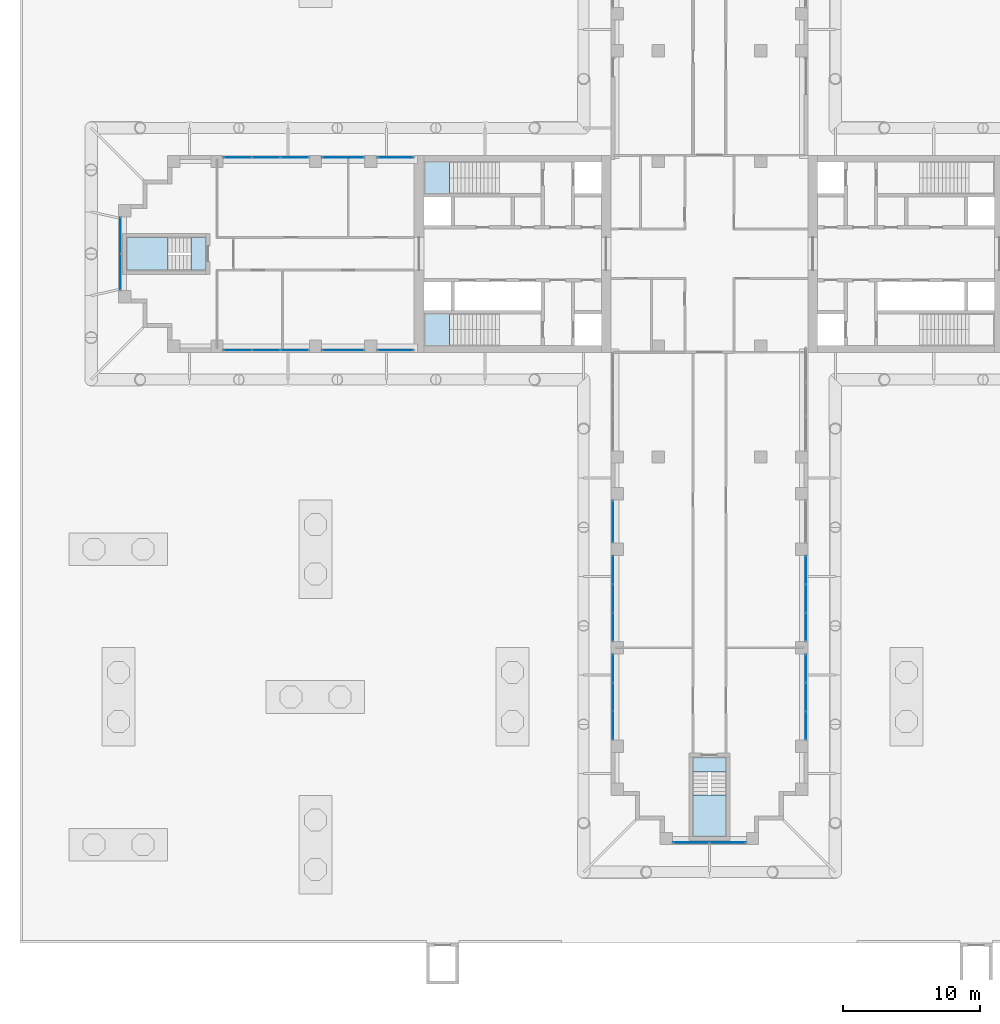
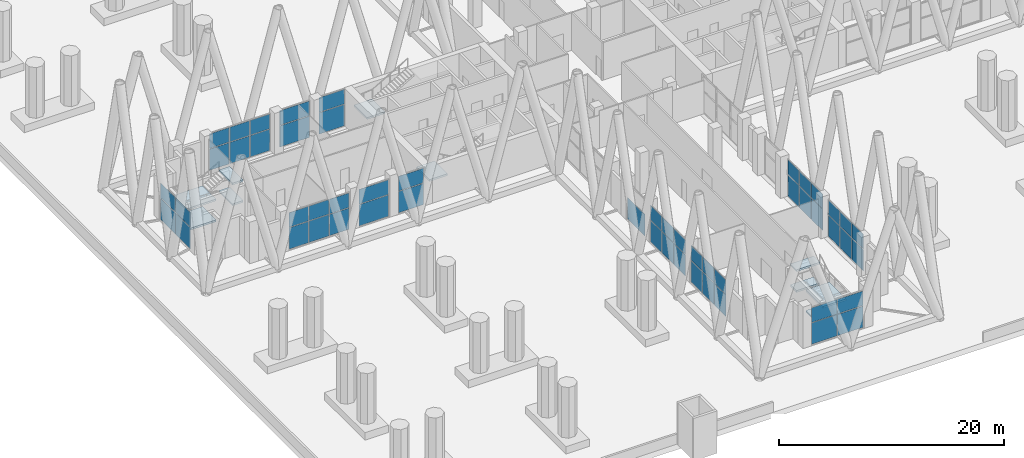
# One storey, part 13 of 31: 53 plates, 10 slabs, 17 elements without a shape of their own.
"""IFC4 building model written with IfcOpenShell, lengths in metres."""

from ifc_helpers import new_model, si_unit, direction, frame, origin, origin_2d, place, context, subcontext, project, spatial, polyline, rectangle, outline, extrude, material, layer, layer_set, type_object, element, aggregate, save


model = new_model("IFC4")

# Units and contexts
model_context = context("Model", 3, precision=1e-05, world=origin(), true_north=direction((0.0, 1.0)))
body_context = subcontext(model_context, "Body", "Model", "MODEL_VIEW")
ifc_project = project(units=[si_unit("LENGTHUNIT", "METRE"), si_unit("AREAUNIT", "SQUARE_METRE"), si_unit("VOLUMEUNIT", "CUBIC_METRE"), si_unit("PLANEANGLEUNIT", "RADIAN"), si_unit("MASSUNIT", "GRAM", prefix="KILO")], contexts=[model_context])

# Site, building, storey
site_placement = place(None, origin())
site = spatial("IfcSite", under=ifc_project, at=site_placement, CompositionType="ELEMENT")
building_placement = place(site_placement, origin())
building = spatial("IfcBuilding", under=site, at=building_placement, Name="Fustian Cross Tower", CompositionType="ELEMENT")
storey_placement = place(building_placement, frame((0.0, 0.0, 7.199951171875)))
storey = spatial("IfcBuildingStorey", under=building, at=storey_placement, Name="L01", CompositionType="ELEMENT", Elevation=7.199951171875)

# Curtain wall, plates
ifc_material_1 = material(Name="Glass", Category="glass")
curtain_wall_type = type_object("IfcCurtainWallType", Name="CW4 CURTAIN WALL", PredefinedType="NOTDEFINED", material=ifc_material_1)
curtain_wall_1_placement = place(storey_placement, origin())
curtain_wall_1 = element("IfcCurtainWall", 1, at=curtain_wall_1_placement, inside=storey, type_object=curtain_wall_type, Name="Curtain wall CW4", PredefinedType="NOTDEFINED")
ifc_material_2 = material(Name="Glass", Category="glass")
ifc_layer_1 = layer(ifc_material_2, 0.028076171875)
ifc_layer_set_1 = layer_set([ifc_layer_1], Name="Glass")
plate_type = type_object("IfcPlateType", Name="CW4 PANEL IGU28", PredefinedType="CURTAIN_PANEL", material=ifc_layer_set_1)
plate_1_placement = place(storey_placement, frame((-22.949951171875, 7.050048828125, 0.06005859375), z_axis=(0.0, 0.0, 1.0), x_axis=(-1.0, 0.0, 0.0)))
plate_1 = element("IfcPlate", 2, at=plate_1_placement, type_object=plate_type, Name="CW4 panel 1.1", PredefinedType="CURTAIN_PANEL", context=body_context, shape_type="SweptSolid", body=[
    extrude(rectangle(XDim=2.580078125, YDim=0.028076171875, at=origin_2d()), origin(), (0.0, 0.0, 1.0), 2.31005859375),
])
plate_2_placement = place(storey_placement, frame((-22.949951171875, 7.050048828125, 2.43017578125), z_axis=(0.0, 0.0, 1.0), x_axis=(-1.0, 0.0, 0.0)))
plate_2 = element("IfcPlate", 3, at=plate_2_placement, type_object=plate_type, Name="CW4 panel 1.2", PredefinedType="CURTAIN_PANEL", context=body_context, shape_type="SweptSolid", body=[
    extrude(rectangle(XDim=2.580078125, YDim=0.028076171875, at=origin_2d()), origin(), (0.0, 0.0, 1.0), 1.5849609375),
])
aggregate(curtain_wall_1, [plate_1, plate_2])

curtain_wall_2_placement = place(storey_placement, origin())
curtain_wall_2 = element("IfcCurtainWall", 4, at=curtain_wall_2_placement, inside=storey, type_object=curtain_wall_type, Name="Curtain wall CW4", PredefinedType="NOTDEFINED")
plate_3_placement = place(storey_placement, frame((-26.77490234375, 7.050048828125, 0.06005859375), z_axis=(0.0, 0.0, 1.0), x_axis=(-1.0, 0.0, 0.0)))
plate_3 = element("IfcPlate", 5, at=plate_3_placement, type_object=plate_type, Name="CW4 panel 1.1", PredefinedType="CURTAIN_PANEL", context=body_context, shape_type="SweptSolid", body=[
    extrude(rectangle(XDim=3.030029296875, YDim=0.028076171875, at=origin_2d()), origin(), (0.0, 0.0, 1.0), 2.31005859375),
])
plate_4_placement = place(storey_placement, frame((-26.77490234375, 7.050048828125, 2.43017578125), z_axis=(0.0, 0.0, 1.0), x_axis=(-1.0, 0.0, 0.0)))
plate_4 = element("IfcPlate", 6, at=plate_4_placement, type_object=plate_type, Name="CW4 panel 1.2", PredefinedType="CURTAIN_PANEL", context=body_context, shape_type="SweptSolid", body=[
    extrude(rectangle(XDim=3.030029296875, YDim=0.028076171875, at=origin_2d()), origin(), (0.0, 0.0, 1.0), 1.5849609375),
])
aggregate(curtain_wall_2, [plate_3, plate_4])

curtain_wall_3_placement = place(storey_placement, origin())
curtain_wall_3 = element("IfcCurtainWall", 7, at=curtain_wall_3_placement, inside=storey, type_object=curtain_wall_type, Name="Curtain wall CW4", PredefinedType="NOTDEFINED")
plate_5_placement = place(storey_placement, frame((-30.31494140625, 7.050048828125, 0.06005859375), z_axis=(0.0, 0.0, 1.0), x_axis=(-1.0, 0.0, 0.0)))
plate_5 = element("IfcPlate", 8, at=plate_5_placement, type_object=plate_type, Name="CW4 panel 1.1", PredefinedType="CURTAIN_PANEL", context=body_context, shape_type="SweptSolid", body=[
    extrude(rectangle(XDim=2.010009765625, YDim=0.028076171875, at=origin_2d()), origin(), (0.0, 0.0, 1.0), 2.31005859375),
])
plate_6_placement = place(storey_placement, frame((-30.31494140625, 7.050048828125, 2.43017578125), z_axis=(0.0, 0.0, 1.0), x_axis=(-1.0, 0.0, 0.0)))
plate_6 = element("IfcPlate", 9, at=plate_6_placement, type_object=plate_type, Name="CW4 panel 1.2", PredefinedType="CURTAIN_PANEL", context=body_context, shape_type="SweptSolid", body=[
    extrude(rectangle(XDim=2.010009765625, YDim=0.028076171875, at=origin_2d()), origin(), (0.0, 0.0, 1.0), 1.5849609375),
])
plate_7_placement = place(storey_placement, frame((-32.39990234375, 7.050048828125, 0.06005859375), z_axis=(0.0, 0.0, 1.0), x_axis=(-1.0, 0.0, 0.0)))
plate_7 = element("IfcPlate", 10, at=plate_7_placement, type_object=plate_type, Name="CW4 panel 2.1", PredefinedType="CURTAIN_PANEL", context=body_context, shape_type="SweptSolid", body=[
    extrude(rectangle(XDim=2.0400390625, YDim=0.028076171875, at=origin_2d()), origin(), (0.0, 0.0, 1.0), 2.31005859375),
])
plate_8_placement = place(storey_placement, frame((-32.39990234375, 7.050048828125, 2.43017578125), z_axis=(0.0, 0.0, 1.0), x_axis=(-1.0, 0.0, 0.0)))
plate_8 = element("IfcPlate", 11, at=plate_8_placement, type_object=plate_type, Name="CW4 panel 2.2", PredefinedType="CURTAIN_PANEL", context=body_context, shape_type="SweptSolid", body=[
    extrude(rectangle(XDim=2.0400390625, YDim=0.028076171875, at=origin_2d()), origin(), (0.0, 0.0, 1.0), 1.5849609375),
])
plate_9_placement = place(storey_placement, frame((-34.485107421875, 7.050048828125, 0.06005859375), z_axis=(0.0, 0.0, 1.0), x_axis=(-1.0, 0.0, 0.0)))
plate_9 = element("IfcPlate", 12, at=plate_9_placement, type_object=plate_type, Name="CW4 panel 3.1", PredefinedType="CURTAIN_PANEL", context=body_context, shape_type="SweptSolid", body=[
    extrude(rectangle(XDim=2.010009765625, YDim=0.028076171875, at=origin_2d()), origin(), (0.0, 0.0, 1.0), 2.31005859375),
])
plate_10_placement = place(storey_placement, frame((-34.485107421875, 7.050048828125, 2.43017578125), z_axis=(0.0, 0.0, 1.0), x_axis=(-1.0, 0.0, 0.0)))
plate_10 = element("IfcPlate", 13, at=plate_10_placement, type_object=plate_type, Name="CW4 panel 3.2", PredefinedType="CURTAIN_PANEL", context=body_context, shape_type="SweptSolid", body=[
    extrude(rectangle(XDim=2.010009765625, YDim=0.028076171875, at=origin_2d()), origin(), (0.0, 0.0, 1.0), 1.5849609375),
])
aggregate(curtain_wall_3, [plate_5, plate_6, plate_7, plate_8, plate_9, plate_10])

curtain_wall_4_placement = place(storey_placement, origin())
curtain_wall_4 = element("IfcCurtainWall", 14, at=curtain_wall_4_placement, inside=storey, type_object=curtain_wall_type, Name="Curtain wall CW4", PredefinedType="NOTDEFINED")
plate_11_placement = place(storey_placement, frame((-43.050048828125, 1.3349609375, 0.06005859375), z_axis=(0.0, 0.0, 1.0), x_axis=(0.0, -1.0, 0.0)))
plate_11 = element("IfcPlate", 15, at=plate_11_placement, type_object=plate_type, Name="CW4 panel 1.1", PredefinedType="CURTAIN_PANEL", context=body_context, shape_type="SweptSolid", body=[
    extrude(rectangle(XDim=2.610107421875, YDim=0.028076171875, at=origin_2d()), origin(), (0.0, 0.0, 1.0), 2.31005859375),
])
plate_12_placement = place(storey_placement, frame((-43.050048828125, 1.3349609375, 2.43017578125), z_axis=(0.0, 0.0, 1.0), x_axis=(0.0, -1.0, 0.0)))
plate_12 = element("IfcPlate", 16, at=plate_12_placement, type_object=plate_type, Name="CW4 panel 1.2", PredefinedType="CURTAIN_PANEL", context=body_context, shape_type="SweptSolid", body=[
    extrude(rectangle(XDim=2.610107421875, YDim=0.028076171875, at=origin_2d()), origin(), (0.0, 0.0, 1.0), 1.5849609375),
])
plate_13_placement = place(storey_placement, frame((-43.050048828125, -1.3349609375, 0.06005859375), z_axis=(0.0, 0.0, 1.0), x_axis=(0.0, -1.0, 0.0)))
plate_13 = element("IfcPlate", 17, at=plate_13_placement, type_object=plate_type, Name="CW4 panel 2.1", PredefinedType="CURTAIN_PANEL", context=body_context, shape_type="SweptSolid", body=[
    extrude(rectangle(XDim=2.610107421875, YDim=0.028076171875, at=origin_2d()), origin(), (0.0, 0.0, 1.0), 2.31005859375),
])
plate_14_placement = place(storey_placement, frame((-43.050048828125, -1.3349609375, 2.43017578125), z_axis=(0.0, 0.0, 1.0), x_axis=(0.0, -1.0, 0.0)))
plate_14 = element("IfcPlate", 18, at=plate_14_placement, type_object=plate_type, Name="CW4 panel 2.2", PredefinedType="CURTAIN_PANEL", context=body_context, shape_type="SweptSolid", body=[
    extrude(rectangle(XDim=2.610107421875, YDim=0.028076171875, at=origin_2d()), origin(), (0.0, 0.0, 1.0), 1.5849609375),
])
aggregate(curtain_wall_4, [plate_11, plate_12, plate_13, plate_14])

curtain_wall_5_placement = place(storey_placement, origin())
curtain_wall_5 = element("IfcCurtainWall", 19, at=curtain_wall_5_placement, inside=storey, type_object=curtain_wall_type, Name="Curtain wall CW4", PredefinedType="NOTDEFINED")
plate_15_placement = place(storey_placement, frame((-34.485107421875, -7.050048828125, 0.06005859375), z_axis=(0.0, 0.0, 1.0), x_axis=(1.0, 0.0, 0.0)))
plate_15 = element("IfcPlate", 20, at=plate_15_placement, type_object=plate_type, Name="CW4 panel 1.1", PredefinedType="CURTAIN_PANEL", context=body_context, shape_type="SweptSolid", body=[
    extrude(rectangle(XDim=2.010009765625, YDim=0.028076171875, at=origin_2d()), origin(), (0.0, 0.0, 1.0), 2.31005859375),
])
plate_16_placement = place(storey_placement, frame((-34.485107421875, -7.050048828125, 2.43017578125), z_axis=(0.0, 0.0, 1.0), x_axis=(1.0, 0.0, 0.0)))
plate_16 = element("IfcPlate", 21, at=plate_16_placement, type_object=plate_type, Name="CW4 panel 1.2", PredefinedType="CURTAIN_PANEL", context=body_context, shape_type="SweptSolid", body=[
    extrude(rectangle(XDim=2.010009765625, YDim=0.028076171875, at=origin_2d()), origin(), (0.0, 0.0, 1.0), 1.5849609375),
])
plate_17_placement = place(storey_placement, frame((-32.39990234375, -7.050048828125, 0.06005859375), z_axis=(0.0, 0.0, 1.0), x_axis=(1.0, 0.0, 0.0)))
plate_17 = element("IfcPlate", 22, at=plate_17_placement, type_object=plate_type, Name="CW4 panel 2.1", PredefinedType="CURTAIN_PANEL", context=body_context, shape_type="SweptSolid", body=[
    extrude(rectangle(XDim=2.0400390625, YDim=0.028076171875, at=origin_2d()), origin(), (0.0, 0.0, 1.0), 2.31005859375),
])
plate_18_placement = place(storey_placement, frame((-32.39990234375, -7.050048828125, 2.43017578125), z_axis=(0.0, 0.0, 1.0), x_axis=(1.0, 0.0, 0.0)))
plate_18 = element("IfcPlate", 23, at=plate_18_placement, type_object=plate_type, Name="CW4 panel 2.2", PredefinedType="CURTAIN_PANEL", context=body_context, shape_type="SweptSolid", body=[
    extrude(rectangle(XDim=2.0400390625, YDim=0.028076171875, at=origin_2d()), origin(), (0.0, 0.0, 1.0), 1.5849609375),
])
plate_19_placement = place(storey_placement, frame((-30.31494140625, -7.050048828125, 0.06005859375), z_axis=(0.0, 0.0, 1.0), x_axis=(1.0, 0.0, 0.0)))
plate_19 = element("IfcPlate", 24, at=plate_19_placement, type_object=plate_type, Name="CW4 panel 3.1", PredefinedType="CURTAIN_PANEL", context=body_context, shape_type="SweptSolid", body=[
    extrude(rectangle(XDim=2.010009765625, YDim=0.028076171875, at=origin_2d()), origin(), (0.0, 0.0, 1.0), 2.31005859375),
])
plate_20_placement = place(storey_placement, frame((-30.31494140625, -7.050048828125, 2.43017578125), z_axis=(0.0, 0.0, 1.0), x_axis=(1.0, 0.0, 0.0)))
plate_20 = element("IfcPlate", 25, at=plate_20_placement, type_object=plate_type, Name="CW4 panel 3.2", PredefinedType="CURTAIN_PANEL", context=body_context, shape_type="SweptSolid", body=[
    extrude(rectangle(XDim=2.010009765625, YDim=0.028076171875, at=origin_2d()), origin(), (0.0, 0.0, 1.0), 1.5849609375),
])
aggregate(curtain_wall_5, [plate_15, plate_16, plate_17, plate_18, plate_19, plate_20])

curtain_wall_6_placement = place(storey_placement, origin())
curtain_wall_6 = element("IfcCurtainWall", 26, at=curtain_wall_6_placement, inside=storey, type_object=curtain_wall_type, Name="Curtain wall CW4", PredefinedType="NOTDEFINED")
plate_21_placement = place(storey_placement, frame((-26.77490234375, -7.050048828125, 0.06005859375), z_axis=(0.0, 0.0, 1.0), x_axis=(1.0, 0.0, 0.0)))
plate_21 = element("IfcPlate", 27, at=plate_21_placement, type_object=plate_type, Name="CW4 panel 1.1", PredefinedType="CURTAIN_PANEL", context=body_context, shape_type="SweptSolid", body=[
    extrude(rectangle(XDim=3.030029296875, YDim=0.028076171875, at=origin_2d()), origin(), (0.0, 0.0, 1.0), 2.31005859375),
])
plate_22_placement = place(storey_placement, frame((-26.77490234375, -7.050048828125, 2.43017578125), z_axis=(0.0, 0.0, 1.0), x_axis=(1.0, 0.0, 0.0)))
plate_22 = element("IfcPlate", 28, at=plate_22_placement, type_object=plate_type, Name="CW4 panel 1.2", PredefinedType="CURTAIN_PANEL", context=body_context, shape_type="SweptSolid", body=[
    extrude(rectangle(XDim=3.030029296875, YDim=0.028076171875, at=origin_2d()), origin(), (0.0, 0.0, 1.0), 1.5849609375),
])
aggregate(curtain_wall_6, [plate_21, plate_22])

curtain_wall_7_placement = place(storey_placement, origin())
curtain_wall_7 = element("IfcCurtainWall", 29, at=curtain_wall_7_placement, inside=storey, type_object=curtain_wall_type, Name="Curtain wall CW4", PredefinedType="NOTDEFINED")
plate_23_placement = place(storey_placement, frame((-22.949951171875, -7.050048828125, 0.06005859375), z_axis=(0.0, 0.0, 1.0), x_axis=(1.0, 0.0, 0.0)))
plate_23 = element("IfcPlate", 30, at=plate_23_placement, type_object=plate_type, Name="CW4 panel 1.1", PredefinedType="CURTAIN_PANEL", context=body_context, shape_type="SweptSolid", body=[
    extrude(rectangle(XDim=2.580078125, YDim=0.028076171875, at=origin_2d()), origin(), (0.0, 0.0, 1.0), 2.31005859375),
])
plate_24_placement = place(storey_placement, frame((-22.949951171875, -7.050048828125, 2.43017578125), z_axis=(0.0, 0.0, 1.0), x_axis=(1.0, 0.0, 0.0)))
plate_24 = element("IfcPlate", 31, at=plate_24_placement, type_object=plate_type, Name="CW4 panel 1.2", PredefinedType="CURTAIN_PANEL", context=body_context, shape_type="SweptSolid", body=[
    extrude(rectangle(XDim=2.580078125, YDim=0.028076171875, at=origin_2d()), origin(), (0.0, 0.0, 1.0), 1.5849609375),
])
aggregate(curtain_wall_7, [plate_23, plate_24])

# Curtain wall, plate
curtain_wall_8_placement = place(storey_placement, origin())
curtain_wall_8 = element("IfcCurtainWall", 32, at=curtain_wall_8_placement, inside=storey, type_object=curtain_wall_type, Name="Curtain wall CW4", PredefinedType="NOTDEFINED")
plate_25_placement = place(storey_placement, frame((-7.050048828125, -19.574951171875, 0.06005859375), z_axis=(0.0, 0.0, 1.0), x_axis=(0.0, -1.0, 0.0)))
plate_25 = element("IfcPlate", 33, at=plate_25_placement, type_object=plate_type, Name="CW4 panel 1.1", PredefinedType="CURTAIN_PANEL", context=body_context, shape_type="SweptSolid", body=[
    extrude(rectangle(XDim=3.030029296875, YDim=0.028076171875, at=origin_2d()), origin(), (0.0, 0.0, 1.0), 2.31005859375),
])
aggregate(curtain_wall_8, [plate_25])

# Curtain wall, plates
curtain_wall_9_placement = place(storey_placement, origin())
curtain_wall_9 = element("IfcCurtainWall", 34, at=curtain_wall_9_placement, inside=storey, type_object=curtain_wall_type, Name="Curtain wall CW4", PredefinedType="NOTDEFINED")
plate_26_placement = place(storey_placement, frame((-7.050048828125, -23.114990234375, 0.06005859375), z_axis=(0.0, 0.0, 1.0), x_axis=(0.0, -1.0, 0.0)))
plate_26 = element("IfcPlate", 35, at=plate_26_placement, type_object=plate_type, Name="CW4 panel 1.1", PredefinedType="CURTAIN_PANEL", context=body_context, shape_type="SweptSolid", body=[
    extrude(rectangle(XDim=2.010009765625, YDim=0.028076171875, at=origin_2d()), origin(), (0.0, 0.0, 1.0), 2.31005859375),
])
plate_27_placement = place(storey_placement, frame((-7.050048828125, -23.114990234375, 2.43017578125), z_axis=(0.0, 0.0, 1.0), x_axis=(0.0, -1.0, 0.0)))
plate_27 = element("IfcPlate", 36, at=plate_27_placement, type_object=plate_type, Name="CW4 panel 1.2", PredefinedType="CURTAIN_PANEL", context=body_context, shape_type="SweptSolid", body=[
    extrude(rectangle(XDim=2.010009765625, YDim=0.028076171875, at=origin_2d()), origin(), (0.0, 0.0, 1.0), 1.5849609375),
])
plate_28_placement = place(storey_placement, frame((-7.050048828125, -25.199951171875, 0.06005859375), z_axis=(0.0, 0.0, 1.0), x_axis=(0.0, -1.0, 0.0)))
plate_28 = element("IfcPlate", 37, at=plate_28_placement, type_object=plate_type, Name="CW4 panel 2.1", PredefinedType="CURTAIN_PANEL", context=body_context, shape_type="SweptSolid", body=[
    extrude(rectangle(XDim=2.0400390625, YDim=0.028076171875, at=origin_2d()), origin(), (0.0, 0.0, 1.0), 2.31005859375),
])
plate_29_placement = place(storey_placement, frame((-7.050048828125, -25.199951171875, 2.43017578125), z_axis=(0.0, 0.0, 1.0), x_axis=(0.0, -1.0, 0.0)))
plate_29 = element("IfcPlate", 38, at=plate_29_placement, type_object=plate_type, Name="CW4 panel 2.2", PredefinedType="CURTAIN_PANEL", context=body_context, shape_type="SweptSolid", body=[
    extrude(rectangle(XDim=2.0400390625, YDim=0.028076171875, at=origin_2d()), origin(), (0.0, 0.0, 1.0), 1.5849609375),
])
plate_30_placement = place(storey_placement, frame((-7.050048828125, -27.284912109375, 0.06005859375), z_axis=(0.0, 0.0, 1.0), x_axis=(0.0, -1.0, 0.0)))
plate_30 = element("IfcPlate", 39, at=plate_30_placement, type_object=plate_type, Name="CW4 panel 3.1", PredefinedType="CURTAIN_PANEL", context=body_context, shape_type="SweptSolid", body=[
    extrude(rectangle(XDim=2.010009765625, YDim=0.028076171875, at=origin_2d()), origin(), (0.0, 0.0, 1.0), 2.31005859375),
])
plate_31_placement = place(storey_placement, frame((-7.050048828125, -27.284912109375, 2.43017578125), z_axis=(0.0, 0.0, 1.0), x_axis=(0.0, -1.0, 0.0)))
plate_31 = element("IfcPlate", 40, at=plate_31_placement, type_object=plate_type, Name="CW4 panel 3.2", PredefinedType="CURTAIN_PANEL", context=body_context, shape_type="SweptSolid", body=[
    extrude(rectangle(XDim=2.010009765625, YDim=0.028076171875, at=origin_2d()), origin(), (0.0, 0.0, 1.0), 1.5849609375),
])
aggregate(curtain_wall_9, [plate_26, plate_27, plate_28, plate_29, plate_30, plate_31])

curtain_wall_10_placement = place(storey_placement, origin())
curtain_wall_10 = element("IfcCurtainWall", 41, at=curtain_wall_10_placement, inside=storey, type_object=curtain_wall_type, Name="Curtain wall CW4", PredefinedType="NOTDEFINED")
plate_32_placement = place(storey_placement, frame((-7.050048828125, -30.31494140625, 0.06005859375), z_axis=(0.0, 0.0, 1.0), x_axis=(0.0, -1.0, 0.0)))
plate_32 = element("IfcPlate", 42, at=plate_32_placement, type_object=plate_type, Name="CW4 panel 1.1", PredefinedType="CURTAIN_PANEL", context=body_context, shape_type="SweptSolid", body=[
    extrude(rectangle(XDim=2.010009765625, YDim=0.028076171875, at=origin_2d()), origin(), (0.0, 0.0, 1.0), 2.31005859375),
])
plate_33_placement = place(storey_placement, frame((-7.050048828125, -30.31494140625, 2.43017578125), z_axis=(0.0, 0.0, 1.0), x_axis=(0.0, -1.0, 0.0)))
plate_33 = element("IfcPlate", 43, at=plate_33_placement, type_object=plate_type, Name="CW4 panel 1.2", PredefinedType="CURTAIN_PANEL", context=body_context, shape_type="SweptSolid", body=[
    extrude(rectangle(XDim=2.010009765625, YDim=0.028076171875, at=origin_2d()), origin(), (0.0, 0.0, 1.0), 1.5849609375),
])
plate_34_placement = place(storey_placement, frame((-7.050048828125, -32.39990234375, 0.06005859375), z_axis=(0.0, 0.0, 1.0), x_axis=(0.0, -1.0, 0.0)))
plate_34 = element("IfcPlate", 44, at=plate_34_placement, type_object=plate_type, Name="CW4 panel 2.1", PredefinedType="CURTAIN_PANEL", context=body_context, shape_type="SweptSolid", body=[
    extrude(rectangle(XDim=2.0400390625, YDim=0.028076171875, at=origin_2d()), origin(), (0.0, 0.0, 1.0), 2.31005859375),
])
plate_35_placement = place(storey_placement, frame((-7.050048828125, -32.39990234375, 2.43017578125), z_axis=(0.0, 0.0, 1.0), x_axis=(0.0, -1.0, 0.0)))
plate_35 = element("IfcPlate", 45, at=plate_35_placement, type_object=plate_type, Name="CW4 panel 2.2", PredefinedType="CURTAIN_PANEL", context=body_context, shape_type="SweptSolid", body=[
    extrude(rectangle(XDim=2.0400390625, YDim=0.028076171875, at=origin_2d()), origin(), (0.0, 0.0, 1.0), 1.5849609375),
])
plate_36_placement = place(storey_placement, frame((-7.050048828125, -34.485107421875, 0.06005859375), z_axis=(0.0, 0.0, 1.0), x_axis=(0.0, -1.0, 0.0)))
plate_36 = element("IfcPlate", 46, at=plate_36_placement, type_object=plate_type, Name="CW4 panel 3.1", PredefinedType="CURTAIN_PANEL", context=body_context, shape_type="SweptSolid", body=[
    extrude(rectangle(XDim=2.010009765625, YDim=0.028076171875, at=origin_2d()), origin(), (0.0, 0.0, 1.0), 2.31005859375),
])
plate_37_placement = place(storey_placement, frame((-7.050048828125, -34.485107421875, 2.43017578125), z_axis=(0.0, 0.0, 1.0), x_axis=(0.0, -1.0, 0.0)))
plate_37 = element("IfcPlate", 47, at=plate_37_placement, type_object=plate_type, Name="CW4 panel 3.2", PredefinedType="CURTAIN_PANEL", context=body_context, shape_type="SweptSolid", body=[
    extrude(rectangle(XDim=2.010009765625, YDim=0.028076171875, at=origin_2d()), origin(), (0.0, 0.0, 1.0), 1.5849609375),
])
aggregate(curtain_wall_10, [plate_32, plate_33, plate_34, plate_35, plate_36, plate_37])

curtain_wall_11_placement = place(storey_placement, origin())
curtain_wall_11 = element("IfcCurtainWall", 48, at=curtain_wall_11_placement, inside=storey, type_object=curtain_wall_type, Name="Curtain wall CW4", PredefinedType="NOTDEFINED")
plate_38_placement = place(storey_placement, frame((-1.3349609375, -43.050048828125, 0.06005859375), z_axis=(0.0, 0.0, 1.0), x_axis=(1.0, 0.0, 0.0)))
plate_38 = element("IfcPlate", 49, at=plate_38_placement, type_object=plate_type, Name="CW4 panel 1.1", PredefinedType="CURTAIN_PANEL", context=body_context, shape_type="SweptSolid", body=[
    extrude(rectangle(XDim=2.610107421875, YDim=0.028076171875, at=origin_2d()), origin(), (0.0, 0.0, 1.0), 2.31005859375),
])
plate_39_placement = place(storey_placement, frame((-1.3349609375, -43.050048828125, 2.43017578125), z_axis=(0.0, 0.0, 1.0), x_axis=(1.0, 0.0, 0.0)))
plate_39 = element("IfcPlate", 50, at=plate_39_placement, type_object=plate_type, Name="CW4 panel 1.2", PredefinedType="CURTAIN_PANEL", context=body_context, shape_type="SweptSolid", body=[
    extrude(rectangle(XDim=2.610107421875, YDim=0.028076171875, at=origin_2d()), origin(), (0.0, 0.0, 1.0), 1.5849609375),
])
plate_40_placement = place(storey_placement, frame((1.3349609375, -43.050048828125, 0.06005859375), z_axis=(0.0, 0.0, 1.0), x_axis=(1.0, 0.0, 0.0)))
plate_40 = element("IfcPlate", 51, at=plate_40_placement, type_object=plate_type, Name="CW4 panel 2.1", PredefinedType="CURTAIN_PANEL", context=body_context, shape_type="SweptSolid", body=[
    extrude(rectangle(XDim=2.610107421875, YDim=0.028076171875, at=origin_2d()), origin(), (0.0, 0.0, 1.0), 2.31005859375),
])
plate_41_placement = place(storey_placement, frame((1.3349609375, -43.050048828125, 2.43017578125), z_axis=(0.0, 0.0, 1.0), x_axis=(1.0, 0.0, 0.0)))
plate_41 = element("IfcPlate", 52, at=plate_41_placement, type_object=plate_type, Name="CW4 panel 2.2", PredefinedType="CURTAIN_PANEL", context=body_context, shape_type="SweptSolid", body=[
    extrude(rectangle(XDim=2.610107421875, YDim=0.028076171875, at=origin_2d()), origin(), (0.0, 0.0, 1.0), 1.5849609375),
])
aggregate(curtain_wall_11, [plate_38, plate_39, plate_40, plate_41])

curtain_wall_12_placement = place(storey_placement, origin())
curtain_wall_12 = element("IfcCurtainWall", 53, at=curtain_wall_12_placement, inside=storey, type_object=curtain_wall_type, Name="Curtain wall CW4", PredefinedType="NOTDEFINED")
plate_42_placement = place(storey_placement, frame((7.050048828125, -34.485107421875, 0.06005859375), z_axis=(0.0, 0.0, 1.0), x_axis=(0.0, 1.0, 0.0)))
plate_42 = element("IfcPlate", 54, at=plate_42_placement, type_object=plate_type, Name="CW4 panel 1.1", PredefinedType="CURTAIN_PANEL", context=body_context, shape_type="SweptSolid", body=[
    extrude(rectangle(XDim=2.010009765625, YDim=0.028076171875, at=origin_2d()), origin(), (0.0, 0.0, 1.0), 2.31005859375),
])
plate_43_placement = place(storey_placement, frame((7.050048828125, -34.485107421875, 2.43017578125), z_axis=(0.0, 0.0, 1.0), x_axis=(0.0, 1.0, 0.0)))
plate_43 = element("IfcPlate", 55, at=plate_43_placement, type_object=plate_type, Name="CW4 panel 1.2", PredefinedType="CURTAIN_PANEL", context=body_context, shape_type="SweptSolid", body=[
    extrude(rectangle(XDim=2.010009765625, YDim=0.028076171875, at=origin_2d()), origin(), (0.0, 0.0, 1.0), 1.5849609375),
])
plate_44_placement = place(storey_placement, frame((7.050048828125, -32.39990234375, 0.06005859375), z_axis=(0.0, 0.0, 1.0), x_axis=(0.0, 1.0, 0.0)))
plate_44 = element("IfcPlate", 56, at=plate_44_placement, type_object=plate_type, Name="CW4 panel 2.1", PredefinedType="CURTAIN_PANEL", context=body_context, shape_type="SweptSolid", body=[
    extrude(rectangle(XDim=2.0400390625, YDim=0.028076171875, at=origin_2d()), origin(), (0.0, 0.0, 1.0), 2.31005859375),
])
plate_45_placement = place(storey_placement, frame((7.050048828125, -32.39990234375, 2.43017578125), z_axis=(0.0, 0.0, 1.0), x_axis=(0.0, 1.0, 0.0)))
plate_45 = element("IfcPlate", 57, at=plate_45_placement, type_object=plate_type, Name="CW4 panel 2.2", PredefinedType="CURTAIN_PANEL", context=body_context, shape_type="SweptSolid", body=[
    extrude(rectangle(XDim=2.0400390625, YDim=0.028076171875, at=origin_2d()), origin(), (0.0, 0.0, 1.0), 1.5849609375),
])
plate_46_placement = place(storey_placement, frame((7.050048828125, -30.31494140625, 0.06005859375), z_axis=(0.0, 0.0, 1.0), x_axis=(0.0, 1.0, 0.0)))
plate_46 = element("IfcPlate", 58, at=plate_46_placement, type_object=plate_type, Name="CW4 panel 3.1", PredefinedType="CURTAIN_PANEL", context=body_context, shape_type="SweptSolid", body=[
    extrude(rectangle(XDim=2.010009765625, YDim=0.028076171875, at=origin_2d()), origin(), (0.0, 0.0, 1.0), 2.31005859375),
])
plate_47_placement = place(storey_placement, frame((7.050048828125, -30.31494140625, 2.43017578125), z_axis=(0.0, 0.0, 1.0), x_axis=(0.0, 1.0, 0.0)))
plate_47 = element("IfcPlate", 59, at=plate_47_placement, type_object=plate_type, Name="CW4 panel 3.2", PredefinedType="CURTAIN_PANEL", context=body_context, shape_type="SweptSolid", body=[
    extrude(rectangle(XDim=2.010009765625, YDim=0.028076171875, at=origin_2d()), origin(), (0.0, 0.0, 1.0), 1.5849609375),
])
aggregate(curtain_wall_12, [plate_42, plate_43, plate_44, plate_45, plate_46, plate_47])

curtain_wall_13_placement = place(storey_placement, origin())
curtain_wall_13 = element("IfcCurtainWall", 60, at=curtain_wall_13_placement, inside=storey, type_object=curtain_wall_type, Name="Curtain wall CW4", PredefinedType="NOTDEFINED")
plate_48_placement = place(storey_placement, frame((7.050048828125, -27.284912109375, 0.06005859375), z_axis=(0.0, 0.0, 1.0), x_axis=(0.0, 1.0, 0.0)))
plate_48 = element("IfcPlate", 61, at=plate_48_placement, type_object=plate_type, Name="CW4 panel 1.1", PredefinedType="CURTAIN_PANEL", context=body_context, shape_type="SweptSolid", body=[
    extrude(rectangle(XDim=2.010009765625, YDim=0.028076171875, at=origin_2d()), origin(), (0.0, 0.0, 1.0), 2.31005859375),
])
plate_49_placement = place(storey_placement, frame((7.050048828125, -27.284912109375, 2.43017578125), z_axis=(0.0, 0.0, 1.0), x_axis=(0.0, 1.0, 0.0)))
plate_49 = element("IfcPlate", 62, at=plate_49_placement, type_object=plate_type, Name="CW4 panel 1.2", PredefinedType="CURTAIN_PANEL", context=body_context, shape_type="SweptSolid", body=[
    extrude(rectangle(XDim=2.010009765625, YDim=0.028076171875, at=origin_2d()), origin(), (0.0, 0.0, 1.0), 1.5849609375),
])
plate_50_placement = place(storey_placement, frame((7.050048828125, -25.199951171875, 0.06005859375), z_axis=(0.0, 0.0, 1.0), x_axis=(0.0, 1.0, 0.0)))
plate_50 = element("IfcPlate", 63, at=plate_50_placement, type_object=plate_type, Name="CW4 panel 2.1", PredefinedType="CURTAIN_PANEL", context=body_context, shape_type="SweptSolid", body=[
    extrude(rectangle(XDim=2.0400390625, YDim=0.028076171875, at=origin_2d()), origin(), (0.0, 0.0, 1.0), 2.31005859375),
])
plate_51_placement = place(storey_placement, frame((7.050048828125, -25.199951171875, 2.43017578125), z_axis=(0.0, 0.0, 1.0), x_axis=(0.0, 1.0, 0.0)))
plate_51 = element("IfcPlate", 64, at=plate_51_placement, type_object=plate_type, Name="CW4 panel 2.2", PredefinedType="CURTAIN_PANEL", context=body_context, shape_type="SweptSolid", body=[
    extrude(rectangle(XDim=2.0400390625, YDim=0.028076171875, at=origin_2d()), origin(), (0.0, 0.0, 1.0), 1.5849609375),
])
plate_52_placement = place(storey_placement, frame((7.050048828125, -23.114990234375, 0.06005859375), z_axis=(0.0, 0.0, 1.0), x_axis=(0.0, 1.0, 0.0)))
plate_52 = element("IfcPlate", 65, at=plate_52_placement, type_object=plate_type, Name="CW4 panel 3.1", PredefinedType="CURTAIN_PANEL", context=body_context, shape_type="SweptSolid", body=[
    extrude(rectangle(XDim=2.010009765625, YDim=0.028076171875, at=origin_2d()), origin(), (0.0, 0.0, 1.0), 2.31005859375),
])
plate_53_placement = place(storey_placement, frame((7.050048828125, -23.114990234375, 2.43017578125), z_axis=(0.0, 0.0, 1.0), x_axis=(0.0, 1.0, 0.0)))
plate_53 = element("IfcPlate", 66, at=plate_53_placement, type_object=plate_type, Name="CW4 panel 3.2", PredefinedType="CURTAIN_PANEL", context=body_context, shape_type="SweptSolid", body=[
    extrude(rectangle(XDim=2.010009765625, YDim=0.028076171875, at=origin_2d()), origin(), (0.0, 0.0, 1.0), 1.5849609375),
])
aggregate(curtain_wall_13, [plate_48, plate_49, plate_50, plate_51, plate_52, plate_53])

# Stair, slab
ifc_material_3 = material(Name="Concrete C50/60", Category="concrete")
stair_type_1 = type_object("IfcStairType", Name="STAIR 1150 HALF TURN", PredefinedType="HALF_TURN_STAIR", material=ifc_material_3)
stair_1_placement = place(storey_placement, origin())
stair_1 = element("IfcStair", 67, at=stair_1_placement, inside=storey, type_object=stair_type_1, Name="Stair ST3", PredefinedType="HALF_TURN_STAIR")
ifc_material_4 = material(Name="Concrete C50/60", Category="concrete")
ifc_layer_2 = layer(ifc_material_4, 0.199951171875)
ifc_layer_set_2 = layer_set([ifc_layer_2], Name="Concrete C50/60")
slab_type = type_object("IfcSlabType", Name="STAIR LANDING", PredefinedType="LANDING", material=ifc_layer_set_2)
slab_1_placement = place(storey_placement, frame((0.0, 0.0, 2.050048828125)))
slab_1 = element("IfcSlab", 68, at=slab_1_placement, type_object=slab_type, Name="ST3 landing 1", PredefinedType="LANDING", context=body_context, shape_type="SweptSolid", body=[
    extrude(outline(polyline([(-18.989990234375, 4.39990234375), (-20.85009765625, 4.39990234375), (-20.85009765625, 6.699951171875), (-18.989990234375, 6.699951171875), (-18.989990234375, 4.39990234375)])), origin(), (0.0, 0.0, 1.0), 0.199951171875),
])
aggregate(stair_1, [slab_1])

stair_2_placement = place(storey_placement, origin())
stair_2 = element("IfcStair", 69, at=stair_2_placement, inside=storey, type_object=stair_type_1, Name="Stair ST4", PredefinedType="HALF_TURN_STAIR")
slab_2_placement = place(storey_placement, frame((0.0, 0.0, 2.050048828125)))
slab_2 = element("IfcSlab", 70, at=slab_2_placement, type_object=slab_type, Name="ST4 landing 1", PredefinedType="LANDING", context=body_context, shape_type="SweptSolid", body=[
    extrude(outline(polyline([(-18.989990234375, -4.39990234375), (-20.85009765625, -4.39990234375), (-20.85009765625, -6.699951171875), (-18.989990234375, -6.699951171875), (-18.989990234375, -4.39990234375)])), origin(), (0.0, 0.0, 1.0), 0.199951171875),
])
aggregate(stair_2, [slab_2])

# Stair, slabs
ifc_material_5 = material(Name="Concrete C50/60", Category="concrete")
stair_type_2 = type_object("IfcStairType", Name="STAIR 1100 HALF TURN", PredefinedType="HALF_TURN_STAIR", material=ifc_material_5)
stair_3_placement = place(storey_placement, origin())
stair_3 = element("IfcStair", 71, at=stair_3_placement, inside=storey, type_object=stair_type_2, Name="Stair ST6", PredefinedType="HALF_TURN_STAIR")
slab_3_placement = place(storey_placement, frame((0.0, 0.0, 0.925048828125)))
slab_3 = element("IfcSlab", 72, at=slab_3_placement, type_object=slab_type, Name="ST6 landing 1", PredefinedType="LANDING", context=body_context, shape_type="SweptSolid", body=[
    extrude(outline(polyline([(-1.199951171875, -39.580078125), (-1.199951171875, -42.60009765625), (1.199951171875, -42.60009765625), (1.199951171875, -39.580078125), (-1.199951171875, -39.580078125)])), origin(), (0.0, 0.0, 1.0), 0.199951171875),
])
slab_4_placement = place(storey_placement, frame((0.0, 0.0, 2.050048828125)))
slab_4 = element("IfcSlab", 73, at=slab_4_placement, type_object=slab_type, Name="ST6 landing 2", PredefinedType="LANDING", context=body_context, shape_type="SweptSolid", body=[
    extrude(outline(polyline([(-1.199951171875, -36.800048828125), (-1.199951171875, -37.89990234375), (1.199951171875, -37.89990234375), (1.199951171875, -36.800048828125), (-1.199951171875, -36.800048828125)])), origin(), (0.0, 0.0, 1.0), 0.199951171875),
])
slab_5_placement = place(storey_placement, frame((0.0, 0.0, 3.175048828125)))
slab_5 = element("IfcSlab", 74, at=slab_5_placement, type_object=slab_type, Name="ST6 landing 3", PredefinedType="LANDING", context=body_context, shape_type="SweptSolid", body=[
    extrude(outline(polyline([(-1.199951171875, -39.580078125), (-1.199951171875, -42.60009765625), (1.199951171875, -42.60009765625), (1.199951171875, -39.580078125), (-1.199951171875, -39.580078125)])), origin(), (0.0, 0.0, 1.0), 0.199951171875),
])
slab_6_placement = place(storey_placement, frame((0.0, 0.0, 4.300048828125)))
slab_6 = element("IfcSlab", 75, at=slab_6_placement, type_object=slab_type, Name="ST6 landing 4", PredefinedType="LANDING", context=body_context, shape_type="SweptSolid", body=[
    extrude(outline(polyline([(-1.199951171875, -36.800048828125), (-1.199951171875, -37.89990234375), (1.199951171875, -37.89990234375), (1.199951171875, -36.800048828125), (-1.199951171875, -36.800048828125)])), origin(), (0.0, 0.0, 1.0), 0.199951171875),
])
aggregate(stair_3, [slab_3, slab_4, slab_5, slab_6])

stair_4_placement = place(storey_placement, origin())
stair_4 = element("IfcStair", 76, at=stair_4_placement, inside=storey, type_object=stair_type_2, Name="Stair ST9", PredefinedType="HALF_TURN_STAIR")
slab_7_placement = place(storey_placement, frame((0.0, 0.0, 0.925048828125)))
slab_7 = element("IfcSlab", 77, at=slab_7_placement, type_object=slab_type, Name="ST9 landing 1", PredefinedType="LANDING", context=body_context, shape_type="SweptSolid", body=[
    extrude(outline(polyline([(-39.580078125, -1.199951171875), (-42.60009765625, -1.199951171875), (-42.60009765625, 1.199951171875), (-39.580078125, 1.199951171875), (-39.580078125, -1.199951171875)])), origin(), (0.0, 0.0, 1.0), 0.199951171875),
])
slab_8_placement = place(storey_placement, frame((0.0, 0.0, 2.050048828125)))
slab_8 = element("IfcSlab", 78, at=slab_8_placement, type_object=slab_type, Name="ST9 landing 2", PredefinedType="LANDING", context=body_context, shape_type="SweptSolid", body=[
    extrude(outline(polyline([(-36.800048828125, -1.199951171875), (-37.89990234375, -1.199951171875), (-37.89990234375, 1.199951171875), (-36.800048828125, 1.199951171875), (-36.800048828125, -1.199951171875)])), origin(), (0.0, 0.0, 1.0), 0.199951171875),
])
slab_9_placement = place(storey_placement, frame((0.0, 0.0, 3.175048828125)))
slab_9 = element("IfcSlab", 79, at=slab_9_placement, type_object=slab_type, Name="ST9 landing 3", PredefinedType="LANDING", context=body_context, shape_type="SweptSolid", body=[
    extrude(outline(polyline([(-39.580078125, -1.199951171875), (-42.60009765625, -1.199951171875), (-42.60009765625, 1.199951171875), (-39.580078125, 1.199951171875), (-39.580078125, -1.199951171875)])), origin(), (0.0, 0.0, 1.0), 0.199951171875),
])
slab_10_placement = place(storey_placement, frame((0.0, 0.0, 4.300048828125)))
slab_10 = element("IfcSlab", 80, at=slab_10_placement, type_object=slab_type, Name="ST9 landing 4", PredefinedType="LANDING", context=body_context, shape_type="SweptSolid", body=[
    extrude(outline(polyline([(-36.800048828125, -1.199951171875), (-37.89990234375, -1.199951171875), (-37.89990234375, 1.199951171875), (-36.800048828125, 1.199951171875), (-36.800048828125, -1.199951171875)])), origin(), (0.0, 0.0, 1.0), 0.199951171875),
])
aggregate(stair_4, [slab_7, slab_8, slab_9, slab_10])

save(model, "model.ifc")
